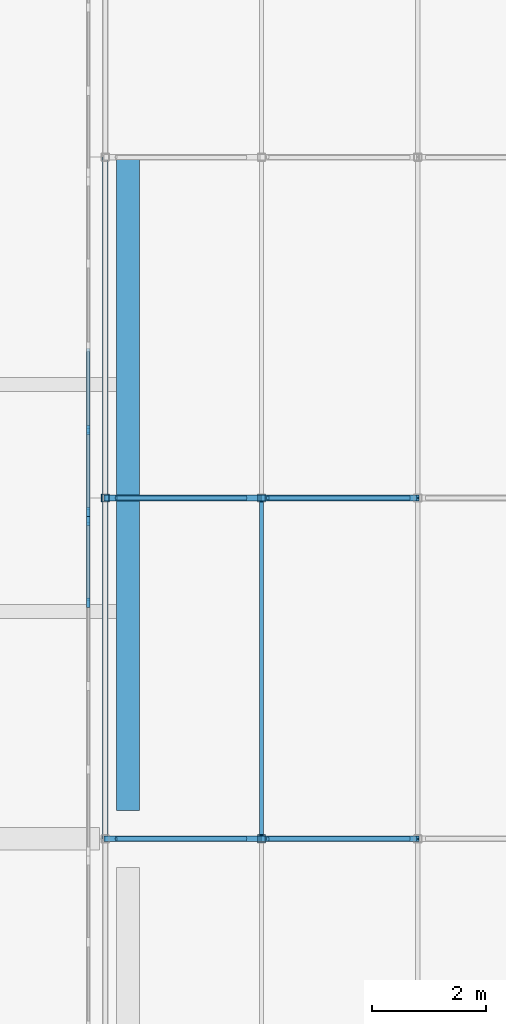
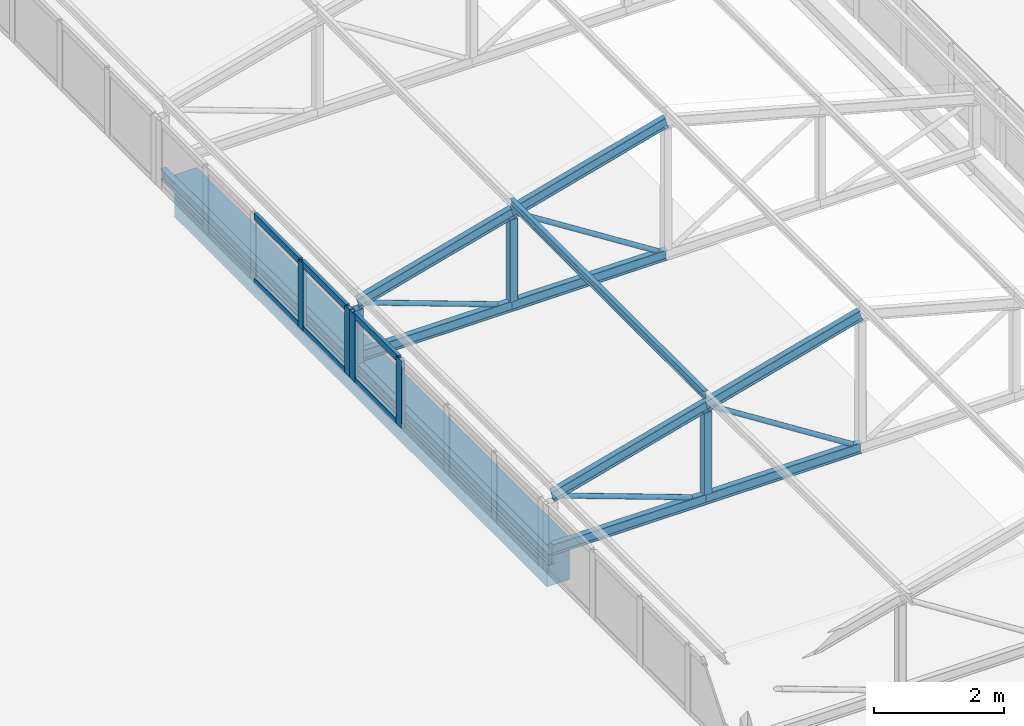
# One storey, part 54 of 94: 26 members, 2 beams, 2 elements without a shape of their own.
"""IFC4 building model written with IfcOpenShell, lengths in metres."""

from ifc_helpers import new_model, si_unit, direction, frame, origin, origin_2d, place, context, subcontext, project, spatial, rectangle, hollow_rectangle, hollow_circle, i_section, extrude, material, layer, layer_set, material_profile, profile_set, type_object, element, aggregate, save


model = new_model("IFC4")

# Units and contexts
model_context = context("Model", 3, precision=1e-05, world=origin(), true_north=direction((0.0, 1.0)))
body_context = subcontext(model_context, "Body", "Model", "MODEL_VIEW")
ifc_project = project(units=[si_unit("LENGTHUNIT", "METRE"), si_unit("AREAUNIT", "SQUARE_METRE"), si_unit("VOLUMEUNIT", "CUBIC_METRE"), si_unit("PLANEANGLEUNIT", "RADIAN"), si_unit("MASSUNIT", "GRAM", prefix="KILO")], contexts=[model_context])

# Site, building, storey
site_placement = place(None, origin())
site = spatial("IfcSite", under=ifc_project, at=site_placement, CompositionType="ELEMENT")
building_placement = place(site_placement, origin())
building = spatial("IfcBuilding", under=site, at=building_placement, Name="Lilac Gate Convention Centre", CompositionType="ELEMENT")
storey_placement = place(building_placement, frame((0.0, 0.0, 21.0)))
storey = spatial("IfcBuildingStorey", under=building, at=storey_placement, Name="L04", CompositionType="ELEMENT", Elevation=21.0)

# Curtain wall, members
ifc_material_1 = material(Name="Aluminium framed double glazing", Category="aluminium")
ifc_layer = layer(ifc_material_1, 0.199951171875)
ifc_layer_set = layer_set([ifc_layer], Name="Aluminium framed double glazing")
curtain_wall_type = type_object("IfcCurtainWallType", Name="Unitised curtain wall 1500", PredefinedType="NOTDEFINED", material=ifc_layer_set)
curtain_wall_1_placement = place(storey_placement, origin())
curtain_wall_1 = element("IfcCurtainWall", 1, at=curtain_wall_1_placement, inside=storey, type_object=curtain_wall_type, Name="Lantern clerestory W 29", PredefinedType="NOTDEFINED")
ifc_material_2 = material(Name="Aluminium alloy 6063", Category="aluminium")
ifc_material_profile_1 = material_profile(ifc_material_2, rectangle(XDim=0.06005859375, YDim=0.159912109375, at=origin_2d()), Name="Curtain wall mullion 60 x 160")
ifc_profile_set_1 = profile_set([ifc_material_profile_1], Name="Aluminium alloy 6063")
member_type_1 = type_object("IfcMemberType", Name="Curtain wall mullion 60 x 160", PredefinedType="MULLION", material=ifc_profile_set_1)
member_1_placement = place(storey_placement, frame((17.300048828125, 202.15625, 0.0), z_axis=(0.0, 0.0, 1.0), x_axis=(-1.0, 0.0, 0.0)))
member_1 = element("IfcMember", 2, at=member_1_placement, type_object=member_type_1, Name="CW mullion 4", PredefinedType="MULLION", context=body_context, shape_type="SweptSolid", body=[
    extrude(rectangle(XDim=0.06005859375, YDim=0.159912109375, at=origin_2d()), origin(), (0.0, 0.0, 1.0), 1.272216796875),
])
member_2_placement = place(storey_placement, frame((17.300048828125, 203.594970703125, 0.0), z_axis=(0.0, 0.0, 1.0), x_axis=(-1.0, 0.0, 0.0)))
member_2 = element("IfcMember", 3, at=member_2_placement, type_object=member_type_1, Name="CW mullion 5", PredefinedType="MULLION", context=body_context, shape_type="SweptSolid", body=[
    extrude(rectangle(XDim=0.06005859375, YDim=0.159912109375, at=origin_2d()), origin(), (0.0, 0.0, 1.0), 1.272216796875),
])

curtain_wall_2_placement = place(storey_placement, origin())
curtain_wall_2 = element("IfcCurtainWall", 4, at=curtain_wall_2_placement, inside=storey, type_object=curtain_wall_type, Name="Lantern clerestory W 30", PredefinedType="NOTDEFINED")
member_3_placement = place(storey_placement, frame((17.300048828125, 203.755126953125, 0.0), z_axis=(0.0, 0.0, 1.0), x_axis=(-1.0, 0.0, 0.0)))
member_3 = element("IfcMember", 5, at=member_3_placement, type_object=member_type_1, Name="CW mullion 1", PredefinedType="MULLION", context=body_context, shape_type="SweptSolid", body=[
    extrude(rectangle(XDim=0.06005859375, YDim=0.159912109375, at=origin_2d()), origin(), (0.0, 0.0, 1.0), 1.272216796875),
])
member_4_placement = place(storey_placement, frame((17.300048828125, 205.19384765625, 0.0), z_axis=(0.0, 0.0, 1.0), x_axis=(-1.0, 0.0, 0.0)))
member_4 = element("IfcMember", 6, at=member_4_placement, type_object=member_type_1, Name="CW mullion 2", PredefinedType="MULLION", context=body_context, shape_type="SweptSolid", body=[
    extrude(rectangle(XDim=0.06005859375, YDim=0.159912109375, at=origin_2d()), origin(), (0.0, 0.0, 1.0), 1.272216796875),
])

# Member
ifc_material_profile_2 = material_profile(ifc_material_2, rectangle(XDim=0.06005859375, YDim=0.1201171875, at=origin_2d()), Name="Curtain wall transom 60 x 120")
ifc_profile_set_2 = profile_set([ifc_material_profile_2], Name="Aluminium alloy 6063")
member_type_2 = type_object("IfcMemberType", Name="Curtain wall transom 60 x 120", PredefinedType="USERDEFINED", material=ifc_profile_set_2)
member_5_placement = place(storey_placement, frame((17.300048828125, 202.186279296875, 0.030029296875), z_axis=(0.0, 1.0, 0.0), x_axis=(-1.0, 0.0, 0.0)))
member_5 = element("IfcMember", 7, at=member_5_placement, type_object=member_type_2, Name="CW transom 4.1", ObjectType="TRANSOM", PredefinedType="USERDEFINED", context=body_context, shape_type="SweptSolid", body=[
    extrude(rectangle(XDim=0.06005859375, YDim=0.1201171875, at=origin_2d()), origin(), (0.0, 0.0, 1.0), 1.378662109375),
])

member_6_placement = place(storey_placement, frame((17.300048828125, 202.186279296875, 1.2421875), z_axis=(0.0, 1.0, 0.0), x_axis=(-1.0, 0.0, 0.0)))
member_6 = element("IfcMember", 8, at=member_6_placement, type_object=member_type_2, Name="CW transom 4.2", ObjectType="TRANSOM", PredefinedType="USERDEFINED", context=body_context, shape_type="SweptSolid", body=[
    extrude(rectangle(XDim=0.06005859375, YDim=0.1201171875, at=origin_2d()), origin(), (0.0, 0.0, 1.0), 1.378662109375),
])

aggregate(curtain_wall_1, [member_1, member_2, member_5, member_6])

member_7_placement = place(storey_placement, frame((17.300048828125, 203.78515625, 0.030029296875), z_axis=(0.0, 1.0, 0.0), x_axis=(-1.0, 0.0, 0.0)))
member_7 = element("IfcMember", 9, at=member_7_placement, type_object=member_type_2, Name="CW transom 1.1", ObjectType="TRANSOM", PredefinedType="USERDEFINED", context=body_context, shape_type="SweptSolid", body=[
    extrude(rectangle(XDim=0.06005859375, YDim=0.1201171875, at=origin_2d()), origin(), (0.0, 0.0, 1.0), 1.378662109375),
])

member_8_placement = place(storey_placement, frame((17.300048828125, 203.78515625, 1.2421875), z_axis=(0.0, 1.0, 0.0), x_axis=(-1.0, 0.0, 0.0)))
member_8 = element("IfcMember", 10, at=member_8_placement, type_object=member_type_2, Name="CW transom 1.2", ObjectType="TRANSOM", PredefinedType="USERDEFINED", context=body_context, shape_type="SweptSolid", body=[
    extrude(rectangle(XDim=0.06005859375, YDim=0.1201171875, at=origin_2d()), origin(), (0.0, 0.0, 1.0), 1.378662109375),
])

member_9_placement = place(storey_placement, frame((17.300048828125, 205.223876953125, 0.030029296875), z_axis=(0.0, 1.0, 0.0), x_axis=(-1.0, 0.0, 0.0)))
member_9 = element("IfcMember", 11, at=member_9_placement, type_object=member_type_2, Name="CW transom 2.1", ObjectType="TRANSOM", PredefinedType="USERDEFINED", context=body_context, shape_type="SweptSolid", body=[
    extrude(rectangle(XDim=0.06005859375, YDim=0.1201171875, at=origin_2d()), origin(), (0.0, 0.0, 1.0), 1.40869140625),
])

member_10_placement = place(storey_placement, frame((17.300048828125, 205.223876953125, 1.2421875), z_axis=(0.0, 1.0, 0.0), x_axis=(-1.0, 0.0, 0.0)))
member_10 = element("IfcMember", 12, at=member_10_placement, type_object=member_type_2, Name="CW transom 2.2", ObjectType="TRANSOM", PredefinedType="USERDEFINED", context=body_context, shape_type="SweptSolid", body=[
    extrude(rectangle(XDim=0.06005859375, YDim=0.1201171875, at=origin_2d()), origin(), (0.0, 0.0, 1.0), 1.40869140625),
])

aggregate(curtain_wall_2, [member_3, member_4, member_7, member_8, member_9, member_10])

# Members
ifc_material_3 = material(Name="Steel Q355B", Category="steel")
ifc_material_profile_3 = material_profile(ifc_material_3, i_section(OverallWidth=0.10009765625, OverallDepth=0.199951171875, WebThickness=0.005615234375, FlangeThickness=0.008056640625, FilletRadius=0.008056640625, at=origin_2d()), Name="HN200x100x5.5x8")
ifc_profile_set_3 = profile_set([ifc_material_profile_3], Name="Steel Q355B")
member_type_3 = type_object("IfcMemberType", Name="Lantern bottom chord HN200x100x5.5x8", PredefinedType="CHORD", material=ifc_profile_set_3)
for number, where, z_axis, x_axis, name in (
    (13, (17.60009765625, 198.0, 0.10009765625), (1.0, 0.0, 0.0), (0.0, 1.0, 0.0), "LB1 lantern truss 29 bottom chord 1"),
    (14, (20.35009765625, 198.0, 0.10009765625), (1.0, 0.0, 0.0), (0.0, 1.0, 0.0), "LB1 lantern truss 29 bottom chord 2"),
    (15, (17.60009765625, 204.0, 0.10009765625), (1.0, 0.0, 0.0), (0.0, 1.0, 0.0), "LB1 lantern truss 30 bottom chord 1"),
    (16, (20.35009765625, 204.0, 0.10009765625), (1.0, 0.0, 0.0), (0.0, 1.0, 0.0), "LB1 lantern truss 30 bottom chord 2"),
):
    element("IfcMember", number, at=place(storey_placement, frame(where, z_axis=z_axis, x_axis=x_axis)), inside=storey, type_object=member_type_3, Name=name, PredefinedType="CHORD", context=body_context, shape_type="SweptSolid", body=[
        extrude(i_section(OverallWidth=0.10009765625, OverallDepth=0.199951171875, WebThickness=0.005615234375, FlangeThickness=0.008056640625, FilletRadius=0.008056640625, at=origin_2d()), origin(), (0.0, 0.0, 1.0), 2.75),
    ])
ifc_material_profile_4 = material_profile(ifc_material_3, hollow_circle(Radius=0.04443359375, WallThickness=0.0048828125, at=origin_2d()), Name="CHS88.9x5")
ifc_profile_set_4 = profile_set([ifc_material_profile_4], Name="Steel Q355B")
member_type_4 = type_object("IfcMemberType", Name="Lantern diagonal CHS88.9x5", PredefinedType="BRACE", material=ifc_profile_set_4)
member_11_placement = place(storey_placement, frame((17.789794921875, 198.0, 1.031005859375), z_axis=(0.939781696917, 0.0, -0.341775309434), x_axis=(0.0, 1.0, 0.0)))
element("IfcMember", 17, at=member_11_placement, inside=storey, type_object=member_type_4, Name="LW1 lantern truss 29 diagonal 1", PredefinedType="BRACE", context=body_context, shape_type="SweptSolid", body=[
    extrude(hollow_circle(Radius=0.04443359375, WallThickness=0.0048828125, at=origin_2d()), origin(), (0.0, 0.0, 1.0), 2.431640625),
])
member_12_placement = place(storey_placement, frame((20.45849609375, 198.0, 1.781005859375), z_axis=(0.843647832412, 0.0, -0.536896949951), x_axis=(0.0, 1.0, 0.0)))
element("IfcMember", 18, at=member_12_placement, inside=storey, type_object=member_type_4, Name="LW1 lantern truss 29 diagonal 2", PredefinedType="BRACE", context=body_context, shape_type="SweptSolid", body=[
    extrude(hollow_circle(Radius=0.04443359375, WallThickness=0.0048828125, at=origin_2d()), origin(), (0.0, 0.0, 1.0), 2.94482421875),
])
member_13_placement = place(storey_placement, frame((17.789794921875, 204.0, 1.031005859375), z_axis=(0.939781696917, 0.0, -0.341775309434), x_axis=(0.0, 1.0, 0.0)))
element("IfcMember", 19, at=member_13_placement, inside=storey, type_object=member_type_4, Name="LW1 lantern truss 30 diagonal 1", PredefinedType="BRACE", context=body_context, shape_type="SweptSolid", body=[
    extrude(hollow_circle(Radius=0.04443359375, WallThickness=0.0048828125, at=origin_2d()), origin(), (0.0, 0.0, 1.0), 2.431640625),
])
member_14_placement = place(storey_placement, frame((20.45849609375, 204.0, 1.781005859375), z_axis=(0.843647832412, 0.0, -0.536896949951), x_axis=(0.0, 1.0, 0.0)))
element("IfcMember", 20, at=member_14_placement, inside=storey, type_object=member_type_4, Name="LW1 lantern truss 30 diagonal 2", PredefinedType="BRACE", context=body_context, shape_type="SweptSolid", body=[
    extrude(hollow_circle(Radius=0.04443359375, WallThickness=0.0048828125, at=origin_2d()), origin(), (0.0, 0.0, 1.0), 2.94482421875),
])
ifc_material_profile_5 = material_profile(ifc_material_3, hollow_rectangle(XDim=0.139892578125, YDim=0.139892578125, WallThickness=0.0048828125, InnerFilletRadius=0.0048828125, OuterFilletRadius=0.010009765625, at=origin_2d()), Name="SHS140x140x5")
ifc_profile_set_5 = profile_set([ifc_material_profile_5], Name="Steel Q355B")
member_type_5 = type_object("IfcMemberType", Name="Lantern post SHS140x140x5", PredefinedType="STRUT", material=ifc_profile_set_5)
member_15_placement = place(storey_placement, frame((20.35009765625, 198.0, 0.199951171875), z_axis=(0.0, 0.0, 1.0), x_axis=(1.0, 0.0, 0.0)))
element("IfcMember", 21, at=member_15_placement, inside=storey, type_object=member_type_5, Name="LV1 lantern truss 29 post 2", PredefinedType="STRUT", context=body_context, shape_type="SweptSolid", body=[
    extrude(hollow_rectangle(XDim=0.139892578125, YDim=0.139892578125, WallThickness=0.0048828125, InnerFilletRadius=0.0048828125, OuterFilletRadius=0.010009765625, at=origin_2d()), origin(), (0.0, 0.0, 1.0), 1.546142578125),
])
member_16_placement = place(storey_placement, frame((17.60009765625, 204.0, 0.0), z_axis=(0.0, 0.0, 1.0), x_axis=(1.0, 0.0, 0.0)))
element("IfcMember", 22, at=member_16_placement, inside=storey, type_object=member_type_5, Name="LV1 lantern truss 30 post 1", PredefinedType="STRUT", context=body_context, shape_type="SweptSolid", body=[
    extrude(hollow_rectangle(XDim=0.139892578125, YDim=0.139892578125, WallThickness=0.0048828125, InnerFilletRadius=0.0048828125, OuterFilletRadius=0.010009765625, at=origin_2d()), origin(), (0.0, 0.0, 1.0), 1.001953125),
])
member_17_placement = place(storey_placement, frame((20.35009765625, 204.0, 0.199951171875), z_axis=(0.0, 0.0, 1.0), x_axis=(1.0, 0.0, 0.0)))
element("IfcMember", 23, at=member_17_placement, inside=storey, type_object=member_type_5, Name="LV1 lantern truss 30 post 2", PredefinedType="STRUT", context=body_context, shape_type="SweptSolid", body=[
    extrude(hollow_rectangle(XDim=0.139892578125, YDim=0.139892578125, WallThickness=0.0048828125, InnerFilletRadius=0.0048828125, OuterFilletRadius=0.010009765625, at=origin_2d()), origin(), (0.0, 0.0, 1.0), 1.546142578125),
])
ifc_material_profile_6 = material_profile(ifc_material_3, i_section(OverallWidth=0.074951171875, OverallDepth=0.14990234375, WebThickness=0.0048828125, FlangeThickness=0.007080078125, FilletRadius=0.008056640625, at=origin_2d()), Name="HN150x75x5x7")
ifc_profile_set_6 = profile_set([ifc_material_profile_6], Name="Steel Q355B")
member_type_6 = type_object("IfcMemberType", Name="Lantern purlin HN150x75x5x7", PredefinedType="PURLIN", material=ifc_profile_set_6)
member_18_placement = place(storey_placement, frame((20.35009765625, 198.0, 2.029052734375), z_axis=(0.0, 1.0, 0.0), x_axis=(-1.0, 0.0, 0.0)))
element("IfcMember", 24, at=member_18_placement, inside=storey, type_object=member_type_6, Name="LP1 lantern purlin bay 29 line 2", PredefinedType="PURLIN", context=body_context, shape_type="SweptSolid", body=[
    extrude(i_section(OverallWidth=0.074951171875, OverallDepth=0.14990234375, WebThickness=0.0048828125, FlangeThickness=0.007080078125, FilletRadius=0.008056640625, at=origin_2d()), origin(), (0.0, 0.0, 1.0), 6.0),
])
ifc_material_profile_7 = material_profile(ifc_material_3, i_section(OverallWidth=0.10009765625, OverallDepth=0.199951171875, WebThickness=0.005615234375, FlangeThickness=0.008056640625, FilletRadius=0.008056640625, at=origin_2d()), Name="HN200x100x5.5x8")
ifc_profile_set_7 = profile_set([ifc_material_profile_7], Name="Steel Q355B")
member_type_7 = type_object("IfcMemberType", Name="Lantern top chord HN200x100x5.5x8", PredefinedType="CHORD", material=ifc_profile_set_7)
for number, where, z_axis, x_axis, name in (
    (25, (17.60009765625, 198.0, 1.10009765625), (0.964763821238, 0.0, 0.263117405792), (0.0, 1.0, 0.0), "LT1 lantern truss 29 top chord 1"),
    (26, (20.35009765625, 198.0, 1.85009765625), (0.964763821238, 0.0, 0.263117405792), (0.0, 1.0, 0.0), "LT1 lantern truss 29 top chord 2"),
    (27, (17.60009765625, 204.0, 1.10009765625), (0.964763821238, 0.0, 0.263117405792), (0.0, 1.0, 0.0), "LT1 lantern truss 30 top chord 1"),
    (28, (20.35009765625, 204.0, 1.85009765625), (0.964763821238, 0.0, 0.263117405792), (0.0, 1.0, 0.0), "LT1 lantern truss 30 top chord 2"),
):
    element("IfcMember", number, at=place(storey_placement, frame(where, z_axis=z_axis, x_axis=x_axis)), inside=storey, type_object=member_type_7, Name=name, PredefinedType="CHORD", context=body_context, shape_type="SweptSolid", body=[
        extrude(i_section(OverallWidth=0.10009765625, OverallDepth=0.199951171875, WebThickness=0.005615234375, FlangeThickness=0.008056640625, FilletRadius=0.008056640625, at=origin_2d()), origin(), (0.0, 0.0, 1.0), 2.850341796875),
    ])

# Beams
ifc_material_profile_8 = material_profile(ifc_material_3, i_section(OverallWidth=0.10009765625, OverallDepth=0.199951171875, WebThickness=0.005615234375, FlangeThickness=0.008056640625, FilletRadius=0.008056640625, at=origin_2d()), Name="HN200x100x5.5x8")
ifc_profile_set_8 = profile_set([ifc_material_profile_8], Name="Steel Q355B")
beam_type_1 = type_object("IfcBeamType", Name="Steel edge beam HN200x100x5.5x8", PredefinedType="BEAM", material=ifc_profile_set_8)
beam_1_placement = place(storey_placement, frame((17.60009765625, 198.0, -0.10009765625), z_axis=(0.0, 1.0, 0.0), x_axis=(-1.0, 0.0, 0.0)))
element("IfcBeam", 29, at=beam_1_placement, inside=storey, type_object=beam_type_1, Name="LE2 lantern west edge beam 15", PredefinedType="BEAM", context=body_context, shape_type="SweptSolid", body=[
    extrude(i_section(OverallWidth=0.10009765625, OverallDepth=0.199951171875, WebThickness=0.005615234375, FlangeThickness=0.008056640625, FilletRadius=0.008056640625, at=origin_2d()), origin(), (0.0, 0.0, 1.0), 12.0),
])
ifc_material_4 = material(Name="Concrete C40", Category="concrete")
ifc_material_profile_9 = material_profile(ifc_material_4, rectangle(XDim=0.39990234375, YDim=0.800048828125, at=origin_2d()), Name="RC 400x800")
ifc_profile_set_9 = profile_set([ifc_material_profile_9], Name="Concrete C40")
beam_type_2 = type_object("IfcBeamType", Name="Tower primary beam 400x800 C40", PredefinedType="BEAM", material=ifc_profile_set_9)
beam_2_placement = place(storey_placement, frame((18.0, 198.5, -0.60009765625), z_axis=(0.0, 1.0, 0.0), x_axis=(-1.0, 0.0, 0.0)))
element("IfcBeam", 30, at=beam_2_placement, inside=storey, type_object=beam_type_2, Name="RB3 L04 2/Q-2/R", PredefinedType="BEAM", context=body_context, shape_type="SweptSolid", body=[
    extrude(rectangle(XDim=0.39990234375, YDim=0.800048828125, at=origin_2d()), origin(), (0.0, 0.0, 1.0), 11.5),
])

save(model, "model.ifc")
